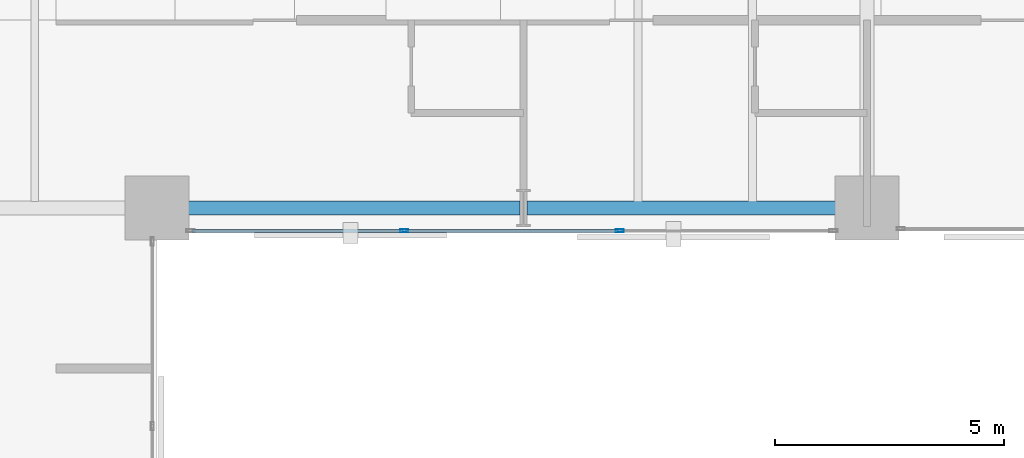
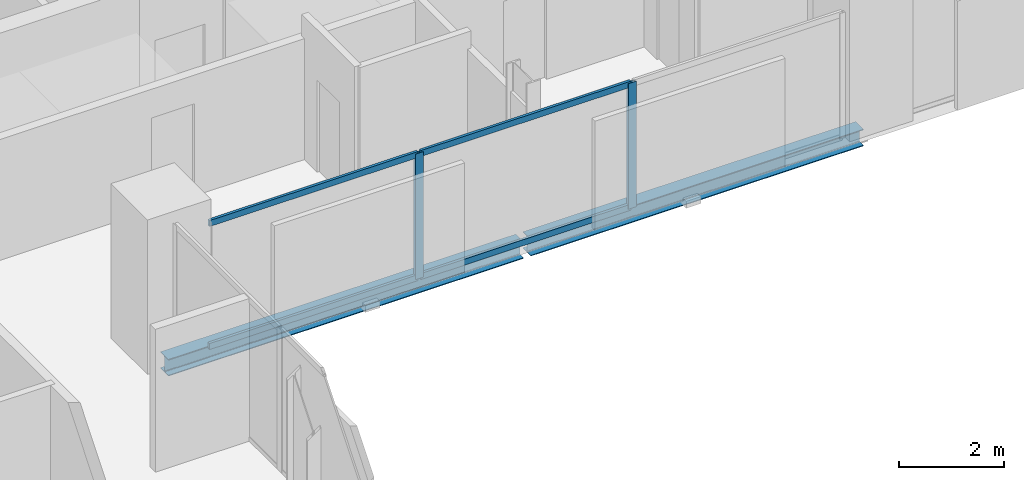
# One storey, part 14 of 33: 6 members, 2 beams, 1 element without a shape of its own.
"""IFC4 building model written with IfcOpenShell, lengths in metres."""

from ifc_helpers import new_model, si_unit, direction, frame, origin, origin_2d, place, context, subcontext, project, spatial, hollow_rectangle, i_section, extrude, material, layer, layer_set, material_profile, profile_set, type_object, element, aggregate, save


model = new_model("IFC4")

# Units and contexts
model_context = context("Model", 3, precision=1e-05, world=origin(), true_north=direction((0.0, 1.0)))
body_context = subcontext(model_context, "Body", "Model", "MODEL_VIEW")
ifc_project = project(units=[si_unit("LENGTHUNIT", "METRE"), si_unit("AREAUNIT", "SQUARE_METRE"), si_unit("VOLUMEUNIT", "CUBIC_METRE"), si_unit("PLANEANGLEUNIT", "RADIAN"), si_unit("MASSUNIT", "GRAM", prefix="KILO")], contexts=[model_context])

# Site, building, storey
site_placement = place(None, origin())
site = spatial("IfcSite", under=ifc_project, at=site_placement, CompositionType="ELEMENT")
building_placement = place(site_placement, origin())
building = spatial("IfcBuilding", under=site, at=building_placement, Name="Catumbela Crestline Tower", CompositionType="ELEMENT")
storey_placement = place(building_placement, frame((0.0, 0.0, 51.0)))
storey = spatial("IfcBuildingStorey", under=building, at=storey_placement, Name="L12", CompositionType="ELEMENT", Elevation=51.0)

# Curtain wall, members
ifc_material_1 = material(Name="Aluminium alloy AW-6060-T66", Category="aluminium")
ifc_layer = layer(ifc_material_1, 0.18, Name="Aluminium alloy AW-6060-T66")
ifc_layer_set = layer_set([ifc_layer], Name="Aluminium alloy AW-6060-T66")
curtain_wall_type = type_object("IfcCurtainWallType", Name="CWU-Z1", PredefinedType="USERDEFINED", material=ifc_layer_set)
curtain_wall_placement = place(storey_placement, origin())
curtain_wall = element("IfcCurtainWall", 1, at=curtain_wall_placement, inside=storey, type_object=curtain_wall_type, Name="L12 Unitised Curtain Wall CW-L12-E3S1", ObjectType="UNITISED", PredefinedType="USERDEFINED")
ifc_material_profile_1 = material_profile(ifc_material_1, hollow_rectangle(XDim=0.065, YDim=0.18, WallThickness=0.004, at=origin_2d()), Name="ALU 180x65x4")
ifc_profile_set_1 = profile_set([ifc_material_profile_1], Name="Aluminium alloy AW-6060-T66")
member_type_1 = type_object("IfcMemberType", Name="MUL-180X65", PredefinedType="MULLION", material=ifc_profile_set_1)
member_1_placement = place(storey_placement, frame((29.4, 24.0, 0.0), z_axis=(0.0, 0.0, 1.0), x_axis=(0.0, 1.0, 0.0)))
member_1 = element("IfcMember", 2, at=member_1_placement, type_object=member_type_1, Name="CWU-Z1 mullion 2", PredefinedType="MULLION", context=body_context, shape_type="SweptSolid", body=[
    extrude(hollow_rectangle(XDim=0.065, YDim=0.18, WallThickness=0.004, at=origin_2d()), origin(), (0.0, 0.0, 1.0), 2.93),
])
member_2_placement = place(storey_placement, frame((34.1, 24.0, 0.0), z_axis=(0.0, 0.0, 1.0), x_axis=(0.0, 1.0, 0.0)))
member_2 = element("IfcMember", 3, at=member_2_placement, type_object=member_type_1, Name="CWU-Z1 mullion 3", PredefinedType="MULLION", context=body_context, shape_type="SweptSolid", body=[
    extrude(hollow_rectangle(XDim=0.065, YDim=0.18, WallThickness=0.004, at=origin_2d()), origin(), (0.0, 0.0, 1.0), 2.93),
])

# Beams
ifc_material_2 = material(Name="Structural steel S355J2", Category="steel")
ifc_material_profile_2 = material_profile(ifc_material_2, i_section(OverallWidth=0.3, OverallDepth=0.39, WebThickness=0.011, FlangeThickness=0.019, FilletRadius=0.027, at=origin_2d()), Name="HEA 400")
ifc_profile_set_2 = profile_set([ifc_material_profile_2], Name="Structural steel S355J2")
beam_type = type_object("IfcBeamType", Name="BS-HEA400", PredefinedType="SPANDREL", material=ifc_profile_set_2)
beam_1_placement = place(storey_placement, frame((24.08, 24.5, -0.455), z_axis=(1.0, 0.0, 0.0), x_axis=(0.0, 1.0, 0.0)))
element("IfcBeam", 4, at=beam_1_placement, inside=storey, type_object=beam_type, Name="L12 Spandrel SP-L12-S05", PredefinedType="SPANDREL", context=body_context, shape_type="SweptSolid", body=[
    extrude(i_section(OverallWidth=0.3, OverallDepth=0.39, WebThickness=0.011, FlangeThickness=0.019, FilletRadius=0.027, at=origin_2d()), origin(), (0.0, 0.0, 1.0), 7.84),
])
beam_2_placement = place(storey_placement, frame((32.08, 24.5, -0.455), z_axis=(1.0, 0.0, 0.0), x_axis=(0.0, 1.0, 0.0)))
element("IfcBeam", 5, at=beam_2_placement, inside=storey, type_object=beam_type, Name="L12 Spandrel SP-L12-S06", PredefinedType="SPANDREL", context=body_context, shape_type="SweptSolid", body=[
    extrude(i_section(OverallWidth=0.3, OverallDepth=0.39, WebThickness=0.011, FlangeThickness=0.019, FilletRadius=0.027, at=origin_2d()), origin(), (0.0, 0.0, 1.0), 7.34),
])

# Member
ifc_material_profile_3 = material_profile(ifc_material_1, hollow_rectangle(XDim=0.06, YDim=0.14, WallThickness=0.004, at=origin_2d()), Name="ALU 140x60x4")
ifc_profile_set_3 = profile_set([ifc_material_profile_3], Name="Aluminium alloy AW-6060-T66")
member_type_2 = type_object("IfcMemberType", Name="TRN-140X60", PredefinedType="USERDEFINED", material=ifc_profile_set_3)
member_3_placement = place(storey_placement, frame((24.765, 24.0, 0.03), z_axis=(1.0, 0.0, 0.0), x_axis=(0.0, 1.0, 0.0)))
member_3 = element("IfcMember", 6, at=member_3_placement, type_object=member_type_2, Name="CWU-Z1 transom 1.1", ObjectType="TRANSOM", PredefinedType="USERDEFINED", context=body_context, shape_type="SweptSolid", body=[
    extrude(hollow_rectangle(XDim=0.06, YDim=0.14, WallThickness=0.004, at=origin_2d()), origin(), (0.0, 0.0, 1.0), 4.6025),
])

member_4_placement = place(storey_placement, frame((24.765, 24.0, 2.9), z_axis=(1.0, 0.0, 0.0), x_axis=(0.0, 1.0, 0.0)))
member_4 = element("IfcMember", 7, at=member_4_placement, type_object=member_type_2, Name="CWU-Z1 transom 1.2", ObjectType="TRANSOM", PredefinedType="USERDEFINED", context=body_context, shape_type="SweptSolid", body=[
    extrude(hollow_rectangle(XDim=0.06, YDim=0.14, WallThickness=0.004, at=origin_2d()), origin(), (0.0, 0.0, 1.0), 4.6025),
])

member_5_placement = place(storey_placement, frame((29.4325, 24.0, 0.03), z_axis=(1.0, 0.0, 0.0), x_axis=(0.0, 1.0, 0.0)))
member_5 = element("IfcMember", 8, at=member_5_placement, type_object=member_type_2, Name="CWU-Z1 transom 2.1", ObjectType="TRANSOM", PredefinedType="USERDEFINED", context=body_context, shape_type="SweptSolid", body=[
    extrude(hollow_rectangle(XDim=0.06, YDim=0.14, WallThickness=0.004, at=origin_2d()), origin(), (0.0, 0.0, 1.0), 4.635),
])

member_6_placement = place(storey_placement, frame((29.4325, 24.0, 2.9), z_axis=(1.0, 0.0, 0.0), x_axis=(0.0, 1.0, 0.0)))
member_6 = element("IfcMember", 9, at=member_6_placement, type_object=member_type_2, Name="CWU-Z1 transom 2.2", ObjectType="TRANSOM", PredefinedType="USERDEFINED", context=body_context, shape_type="SweptSolid", body=[
    extrude(hollow_rectangle(XDim=0.06, YDim=0.14, WallThickness=0.004, at=origin_2d()), origin(), (0.0, 0.0, 1.0), 4.635),
])

aggregate(curtain_wall, [member_1, member_2, member_3, member_4, member_5, member_6])

save(model, "model.ifc")
